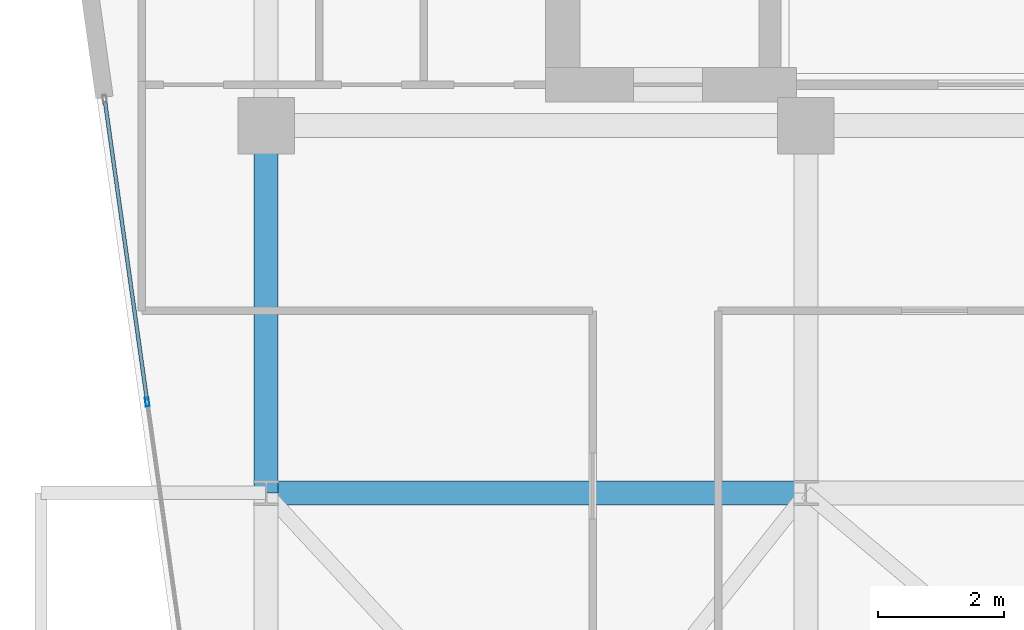
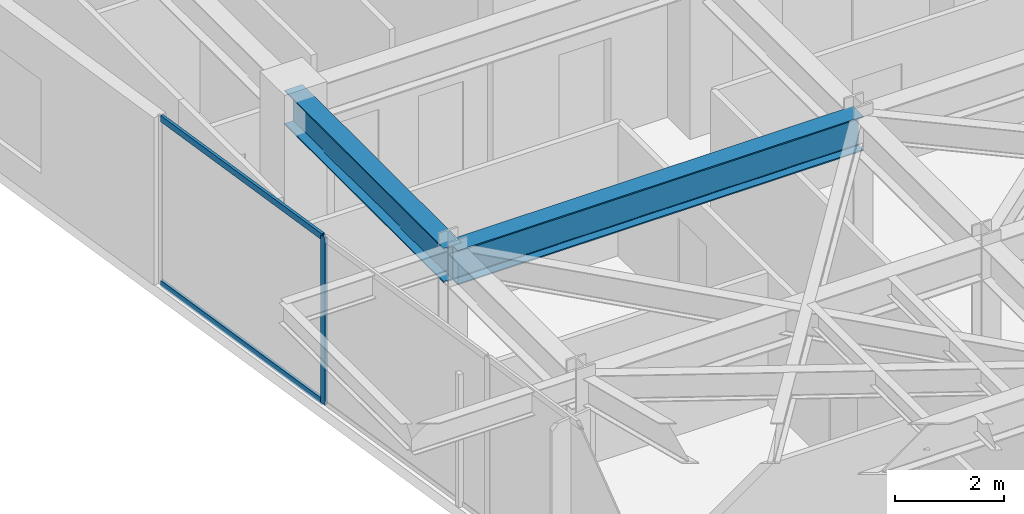
# One storey, part 10 of 26: 3 members, 2 beams, 1 element without a shape of its own.
"""IFC4 building model written with IfcOpenShell, lengths in metres."""

from ifc_helpers import new_model, si_unit, direction, frame, origin, origin_2d, place, context, subcontext, project, spatial, hollow_rectangle, i_section, extrude, material, layer, layer_set, material_profile, profile_set, type_object, element, aggregate, save


model = new_model("IFC4")

# Units and contexts
model_context = context("Model", 3, precision=1e-05, world=origin(), true_north=direction((0.0, 1.0)))
body_context = subcontext(model_context, "Body", "Model", "MODEL_VIEW")
ifc_project = project(units=[si_unit("LENGTHUNIT", "METRE"), si_unit("AREAUNIT", "SQUARE_METRE"), si_unit("VOLUMEUNIT", "CUBIC_METRE"), si_unit("PLANEANGLEUNIT", "RADIAN"), si_unit("MASSUNIT", "GRAM", prefix="KILO")], contexts=[model_context])

# Site, building, storey
site_placement = place(None, origin())
site = spatial("IfcSite", under=ifc_project, at=site_placement, CompositionType="ELEMENT")
building_placement = place(site_placement, origin())
building = spatial("IfcBuilding", under=site, at=building_placement, Name="Kravanh Interchange Tower", CompositionType="ELEMENT")
storey_placement = place(building_placement, frame((0.0, 0.0, 212.5)))
storey = spatial("IfcBuildingStorey", under=building, at=storey_placement, Name="L51", CompositionType="ELEMENT", Elevation=212.5)

# Curtain wall, members
ifc_material_1 = material(Name="Anodised Bronze Aluminium", Category="aluminium")
ifc_layer = layer(ifc_material_1, 0.179931640625)
ifc_layer_set = layer_set([ifc_layer], Name="Unitised Curtain Wall System CW-Z3 Upper Office")
curtain_wall_type = type_object("IfcCurtainWallType", Name="Unitised Curtain Wall System CW-Z3 Upper Office", PredefinedType="NOTDEFINED", material=ifc_layer_set)
curtain_wall_placement = place(storey_placement, origin())
curtain_wall = element("IfcCurtainWall", 1, at=curtain_wall_placement, inside=storey, type_object=curtain_wall_type, Name="L51 Unitised Curtain Wall CW-L51-01", PredefinedType="NOTDEFINED")
ifc_material_2 = material(Name="Anodised Bronze Aluminium", Category="aluminium")
ifc_material_profile_1 = material_profile(ifc_material_2, hollow_rectangle(XDim=0.06005859375, YDim=0.139892578125, WallThickness=0.00390625, at=origin_2d()), Name="ALU60X140X4")
ifc_profile_set_1 = profile_set([ifc_material_profile_1], Name="Anodised Bronze Aluminium")
member_type_1 = type_object("IfcMemberType", Name="Curtain Wall Mullion ALU60X140X4 Bronze", PredefinedType="MULLION", material=ifc_profile_set_1)
member_1_placement = place(storey_placement, frame((16.706787109375, 32.9482421875, 0.0), z_axis=(0.0, 0.0, 1.0), x_axis=(-0.990268194035, -0.139172209446, 0.0)))
member_1 = element("IfcMember", 2, at=member_1_placement, type_object=member_type_1, Name="CW-Z3 mullion 5", PredefinedType="MULLION", context=body_context, shape_type="SweptSolid", body=[
    extrude(hollow_rectangle(XDim=0.06005859375, YDim=0.139892578125, WallThickness=0.00390625, at=origin_2d()), origin(), (0.0, 0.0, 1.0), 3.7548828125),
])
ifc_material_3 = material(Name="Anodised Bronze Aluminium", Category="aluminium")
ifc_material_profile_2 = material_profile(ifc_material_3, hollow_rectangle(XDim=0.06005859375, YDim=0.139892578125, WallThickness=0.00390625, at=origin_2d()), Name="ALU60X140X4")
ifc_profile_set_2 = profile_set([ifc_material_profile_2], Name="Anodised Bronze Aluminium")
member_type_2 = type_object("IfcMemberType", Name="Curtain Wall Transom ALU60X140X4 Bronze", PredefinedType="USERDEFINED", material=ifc_profile_set_2)
member_2_placement = place(storey_placement, frame((16.70263671875, 32.977783203125, 0.030029296875), z_axis=(-0.139139718803, 0.990272759724, 0.0), x_axis=(-0.990272759724, -0.139139718803, 0.0)))
member_2 = element("IfcMember", 3, at=member_2_placement, type_object=member_type_2, Name="CW-Z3 transom 5.1", ObjectType="TRANSOM", PredefinedType="USERDEFINED", context=body_context, shape_type="SweptSolid", body=[
    extrude(hollow_rectangle(XDim=0.06005859375, YDim=0.139892578125, WallThickness=0.00390625, at=origin_2d()), origin(), (0.0, 0.0, 1.0), 4.8095703125),
])
member_3_placement = place(storey_placement, frame((16.70263671875, 32.977783203125, 3.72509765625), z_axis=(-0.139139718803, 0.990272759724, 0.0), x_axis=(-0.990272759724, -0.139139718803, 0.0)))
member_3 = element("IfcMember", 4, at=member_3_placement, type_object=member_type_2, Name="CW-Z3 transom 5.2", ObjectType="TRANSOM", PredefinedType="USERDEFINED", context=body_context, shape_type="SweptSolid", body=[
    extrude(hollow_rectangle(XDim=0.06005859375, YDim=0.139892578125, WallThickness=0.00390625, at=origin_2d()), origin(), (0.0, 0.0, 1.0), 4.8095703125),
])
aggregate(curtain_wall, [member_1, member_2, member_3])

# Beams
ifc_material_4 = material(Name="Structural Steel S355", Category="steel")
ifc_material_profile_3 = material_profile(ifc_material_4, i_section(OverallWidth=0.381103515625, OverallDepth=0.77294921875, WebThickness=0.0166015625, FlangeThickness=0.027099609375, FilletRadius=0.02490234375, at=origin_2d()), Name="W30X173")
ifc_profile_set_3 = profile_set([ifc_material_profile_3], Name="Structural Steel S355")
beam_type = type_object("IfcBeamType", Name="Floor Beam W30X173 Structural Steel S355", PredefinedType="BEAM", material=ifc_profile_set_3)
beam_1_placement = place(storey_placement, frame((18.60009765625, 37.35009765625, 3.368408203125), z_axis=(0.0, -1.0, 0.0), x_axis=(1.0, 0.0, 0.0)))
element("IfcBeam", 5, at=beam_1_placement, inside=storey, type_object=beam_type, Name="L51 Primary Floor Girder 28", PredefinedType="BEAM", context=body_context, shape_type="SweptSolid", body=[
    extrude(i_section(OverallWidth=0.381103515625, OverallDepth=0.77294921875, WebThickness=0.0166015625, FlangeThickness=0.027099609375, FilletRadius=0.02490234375, at=origin_2d()), origin(), (0.0, 0.0, 1.0), 5.85009765625),
])
beam_2_placement = place(storey_placement, frame((18.60009765625, 31.5, 3.368408203125), z_axis=(1.0, 0.0, 0.0), x_axis=(0.0, 1.0, 0.0)))
element("IfcBeam", 6, at=beam_2_placement, inside=storey, type_object=beam_type, Name="L51 Primary Floor Girder 61", PredefinedType="BEAM", context=body_context, shape_type="SweptSolid", body=[
    extrude(i_section(OverallWidth=0.381103515625, OverallDepth=0.77294921875, WebThickness=0.0166015625, FlangeThickness=0.027099609375, FilletRadius=0.02490234375, at=origin_2d()), origin(), (0.0, 0.0, 1.0), 8.599853515625),
])

save(model, "model.ifc")
